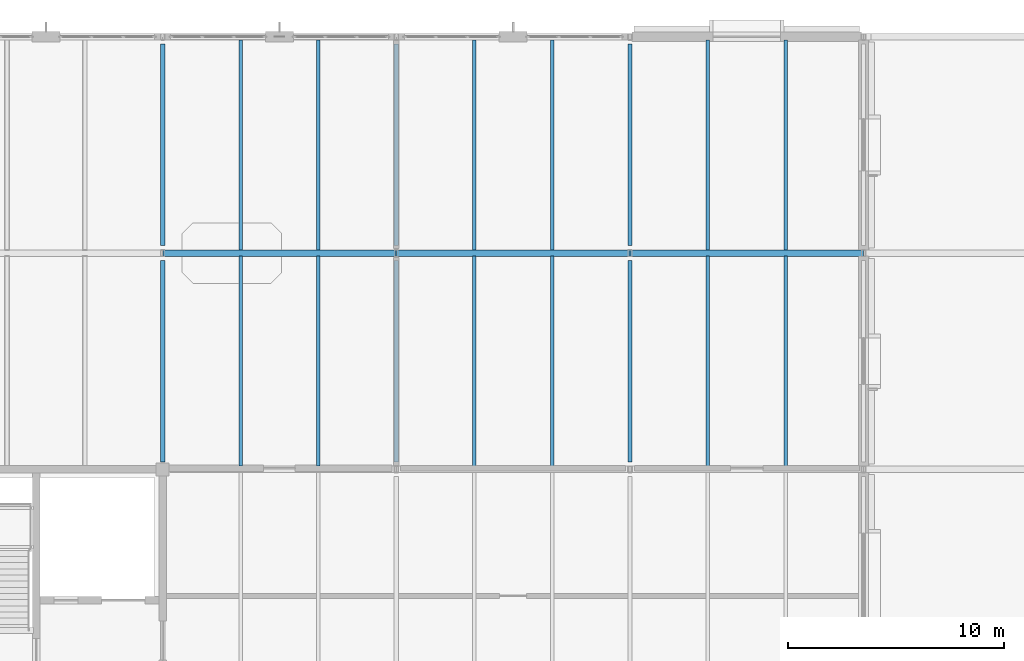
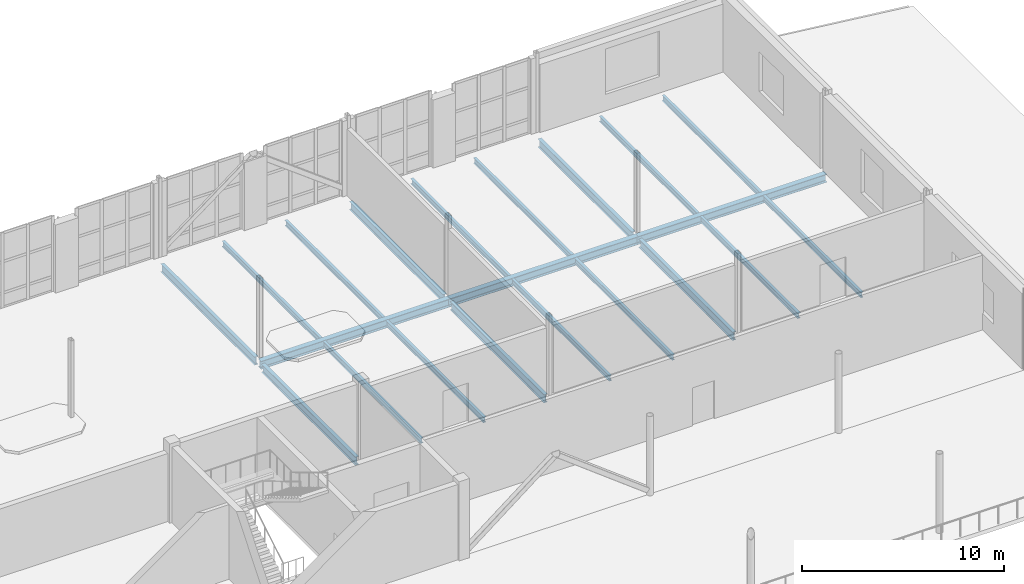
# One storey, part 54 of 100: 21 beams.
"""IFC4 building model written with IfcOpenShell, lengths in metres."""

from ifc_helpers import new_model, si_unit, direction, frame, origin, origin_2d, place, context, subcontext, project, spatial, i_section, extrude, material, material_profile, profile_set, type_object, element, save


model = new_model("IFC4")

# Units and contexts
model_context = context("Model", 3, precision=1e-05, world=origin(), true_north=direction((0.0, 1.0)))
body_context = subcontext(model_context, "Body", "Model", "MODEL_VIEW")
ifc_project = project(units=[si_unit("LENGTHUNIT", "METRE"), si_unit("AREAUNIT", "SQUARE_METRE"), si_unit("VOLUMEUNIT", "CUBIC_METRE"), si_unit("PLANEANGLEUNIT", "RADIAN"), si_unit("MASSUNIT", "GRAM", prefix="KILO")], contexts=[model_context])

# Site, building, storey
site_placement = place(None, origin())
site = spatial("IfcSite", under=ifc_project, at=site_placement, CompositionType="ELEMENT")
building_placement = place(site_placement, origin())
building = spatial("IfcBuilding", under=site, at=building_placement, Name="Tasgan Crest Museum", CompositionType="ELEMENT")
storey_placement = place(building_placement, frame((0.0, 0.0, 9.60009765625)))
storey = spatial("IfcBuildingStorey", under=building, at=storey_placement, Name="L02", CompositionType="ELEMENT", Elevation=9.60009765625)

# Beams
ifc_material_1 = material(Name="Steel S355J2", Category="steel")
ifc_material_profile_1 = material_profile(ifc_material_1, i_section(OverallWidth=0.300048828125, OverallDepth=0.489990234375, WebThickness=0.011962890625, FlangeThickness=0.02294921875, FilletRadius=0.027099609375, at=origin_2d()), Name="HEA 500")
ifc_profile_set_1 = profile_set([ifc_material_profile_1], Name="Steel S355J2")
beam_type_1 = type_object("IfcBeamType", Name="BM-G-HEA500", PredefinedType="BEAM", material=ifc_profile_set_1)
for number, where, z_axis, x_axis, name in (
    (1, (64.80517578125, 102.0, -0.485107421875), (1.0, 0.0, 0.0), (0.0, 1.0, 0.0), "Girder L02 L 64.8-75.6"),
    (2, (75.605224609375, 102.0, -0.485107421875), (1.0, 0.0, 0.0), (0.0, 1.0, 0.0), "Girder L02 L 75.6-86.4"),
    (3, (86.4052734375, 102.0, -0.485107421875), (1.0, 0.0, 0.0), (0.0, 1.0, 0.0), "Girder L02 L 86.4-97.2"),
):
    element("IfcBeam", number, at=place(storey_placement, frame(where, z_axis=z_axis, x_axis=x_axis)), inside=storey, type_object=beam_type_1, Name=name, PredefinedType="BEAM", context=body_context, shape_type="SweptSolid", body=[
        extrude(i_section(OverallWidth=0.300048828125, OverallDepth=0.489990234375, WebThickness=0.011962890625, FlangeThickness=0.02294921875, FilletRadius=0.027099609375, at=origin_2d()), origin(), (0.0, 0.0, 1.0), 10.78955078125),
    ])
ifc_material_2 = material(Name="Steel S355J2", Category="steel")
ifc_material_profile_2 = material_profile(ifc_material_2, i_section(OverallWidth=0.199951171875, OverallDepth=0.5, WebThickness=0.01025390625, FlangeThickness=0.01611328125, FilletRadius=0.02099609375, at=origin_2d()), Name="IPE 500")
ifc_profile_set_2 = profile_set([ifc_material_profile_2], Name="Steel S355J2")
beam_type_2 = type_object("IfcBeamType", Name="BM-G-IPE500", PredefinedType="BEAM", material=ifc_profile_set_2)
beam_placement = place(storey_placement, frame((64.800048828125, 92.344970703125, -0.489990234375), z_axis=(0.0, 1.0, 0.0), x_axis=(-1.0, 0.0, 0.0)))
element("IfcBeam", 4, at=beam_placement, inside=storey, type_object=beam_type_2, Name="Beam L02 7 92.0-102.0", PredefinedType="BEAM", context=body_context, shape_type="SweptSolid", body=[
    extrude(i_section(OverallWidth=0.199951171875, OverallDepth=0.5, WebThickness=0.01025390625, FlangeThickness=0.01611328125, FilletRadius=0.02099609375, at=origin_2d()), origin(), (0.0, 0.0, 1.0), 9.31494140625),
])
for number, where, z_axis, x_axis, name in (
    (5, (64.800048828125, 102.340087890625, -0.489990234375), (0.0, 1.0, 0.0), (-1.0, 0.0, 0.0), "Beam L02 7 102.0-112.0"),
    (6, (75.60009765625, 92.340087890625, -0.489990234375), (0.0, 1.0, 0.0), (-1.0, 0.0, 0.0), "Beam L02 8 92.0-102.0"),
    (7, (75.60009765625, 102.340087890625, -0.489990234375), (0.0, 1.0, 0.0), (-1.0, 0.0, 0.0), "Beam L02 8 102.0-112.0"),
    (8, (86.39990234375, 92.340087890625, -0.489990234375), (0.0, 1.0, 0.0), (-1.0, 0.0, 0.0), "Beam L02 9 92.0-102.0"),
    (9, (86.39990234375, 102.340087890625, -0.489990234375), (0.0, 1.0, 0.0), (-1.0, 0.0, 0.0), "Beam L02 9 102.0-112.0"),
):
    element("IfcBeam", number, at=place(storey_placement, frame(where, z_axis=z_axis, x_axis=x_axis)), inside=storey, type_object=beam_type_2, Name=name, PredefinedType="BEAM", context=body_context, shape_type="SweptSolid", body=[
        extrude(i_section(OverallWidth=0.199951171875, OverallDepth=0.5, WebThickness=0.01025390625, FlangeThickness=0.01611328125, FilletRadius=0.02099609375, at=origin_2d()), origin(), (0.0, 0.0, 1.0), 9.31982421875),
    ])
ifc_material_3 = material(Name="Steel S355J2", Category="steel")
ifc_material_profile_3 = material_profile(ifc_material_3, i_section(OverallWidth=0.159912109375, OverallDepth=0.330078125, WebThickness=0.007568359375, FlangeThickness=0.011474609375, FilletRadius=0.01806640625, at=origin_2d()), Name="IPE 330")
ifc_profile_set_3 = profile_set([ifc_material_profile_3], Name="Steel S355J2")
beam_type_3 = type_object("IfcBeamType", Name="BM-J-IPE330", PredefinedType="JOIST", material=ifc_profile_set_3)
for number, where, z_axis, x_axis, name in (
    (10, (68.39990234375, 92.14501953125, -0.405029296875), (0.0, 1.0, 0.0), (-1.0, 0.0, 0.0), "Secondary joist L02 X=68.4 Y=92.0-102.0"),
    (11, (72.0, 92.14501953125, -0.405029296875), (0.0, 1.0, 0.0), (-1.0, 0.0, 0.0), "Secondary joist L02 X=72.0 Y=92.0-102.0"),
    (12, (68.39990234375, 102.14501953125, -0.405029296875), (0.0, 1.0, 0.0), (-1.0, 0.0, 0.0), "Secondary joist L02 X=68.4 Y=102.0-112.0"),
    (13, (72.0, 102.14501953125, -0.405029296875), (0.0, 1.0, 0.0), (-1.0, 0.0, 0.0), "Secondary joist L02 X=72.0 Y=102.0-112.0"),
    (14, (79.199951171875, 92.14501953125, -0.405029296875), (0.0, 1.0, 0.0), (-1.0, 0.0, 0.0), "Secondary joist L02 X=79.2 Y=92.0-102.0"),
    (15, (82.800048828125, 92.14501953125, -0.405029296875), (0.0, 1.0, 0.0), (-1.0, 0.0, 0.0), "Secondary joist L02 X=82.8 Y=92.0-102.0"),
    (16, (79.199951171875, 102.14501953125, -0.405029296875), (0.0, 1.0, 0.0), (-1.0, 0.0, 0.0), "Secondary joist L02 X=79.2 Y=102.0-112.0"),
    (17, (82.800048828125, 102.14501953125, -0.405029296875), (0.0, 1.0, 0.0), (-1.0, 0.0, 0.0), "Secondary joist L02 X=82.8 Y=102.0-112.0"),
    (18, (90.0, 92.14501953125, -0.405029296875), (0.0, 1.0, 0.0), (-1.0, 0.0, 0.0), "Secondary joist L02 X=90.0 Y=92.0-102.0"),
    (19, (93.60009765625, 92.14501953125, -0.405029296875), (0.0, 1.0, 0.0), (-1.0, 0.0, 0.0), "Secondary joist L02 X=93.6 Y=92.0-102.0"),
    (20, (90.0, 102.14501953125, -0.405029296875), (0.0, 1.0, 0.0), (-1.0, 0.0, 0.0), "Secondary joist L02 X=90.0 Y=102.0-112.0"),
    (21, (93.60009765625, 102.14501953125, -0.405029296875), (0.0, 1.0, 0.0), (-1.0, 0.0, 0.0), "Secondary joist L02 X=93.6 Y=102.0-112.0"),
):
    element("IfcBeam", number, at=place(storey_placement, frame(where, z_axis=z_axis, x_axis=x_axis)), inside=storey, type_object=beam_type_3, Name=name, PredefinedType="JOIST", context=body_context, shape_type="SweptSolid", body=[
        extrude(i_section(OverallWidth=0.159912109375, OverallDepth=0.330078125, WebThickness=0.007568359375, FlangeThickness=0.011474609375, FilletRadius=0.01806640625, at=origin_2d()), origin(), (0.0, 0.0, 1.0), 9.7099609375),
    ])

save(model, "model.ifc")
